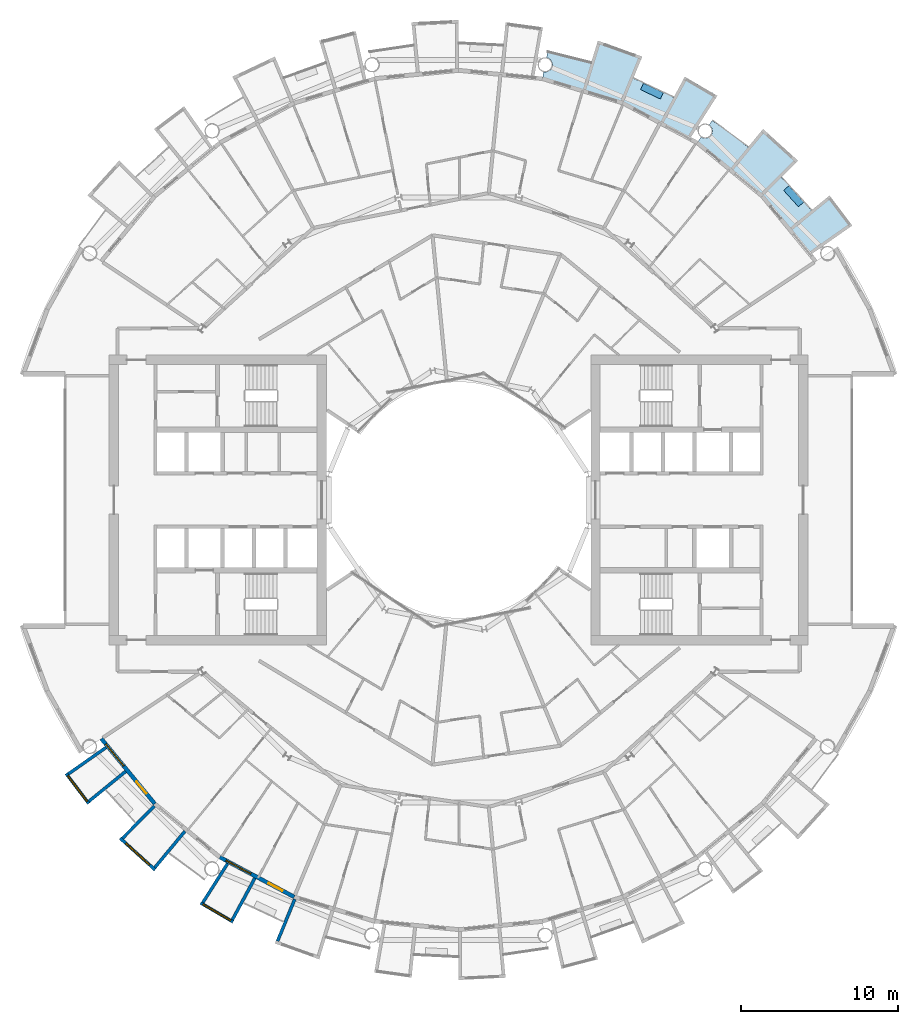
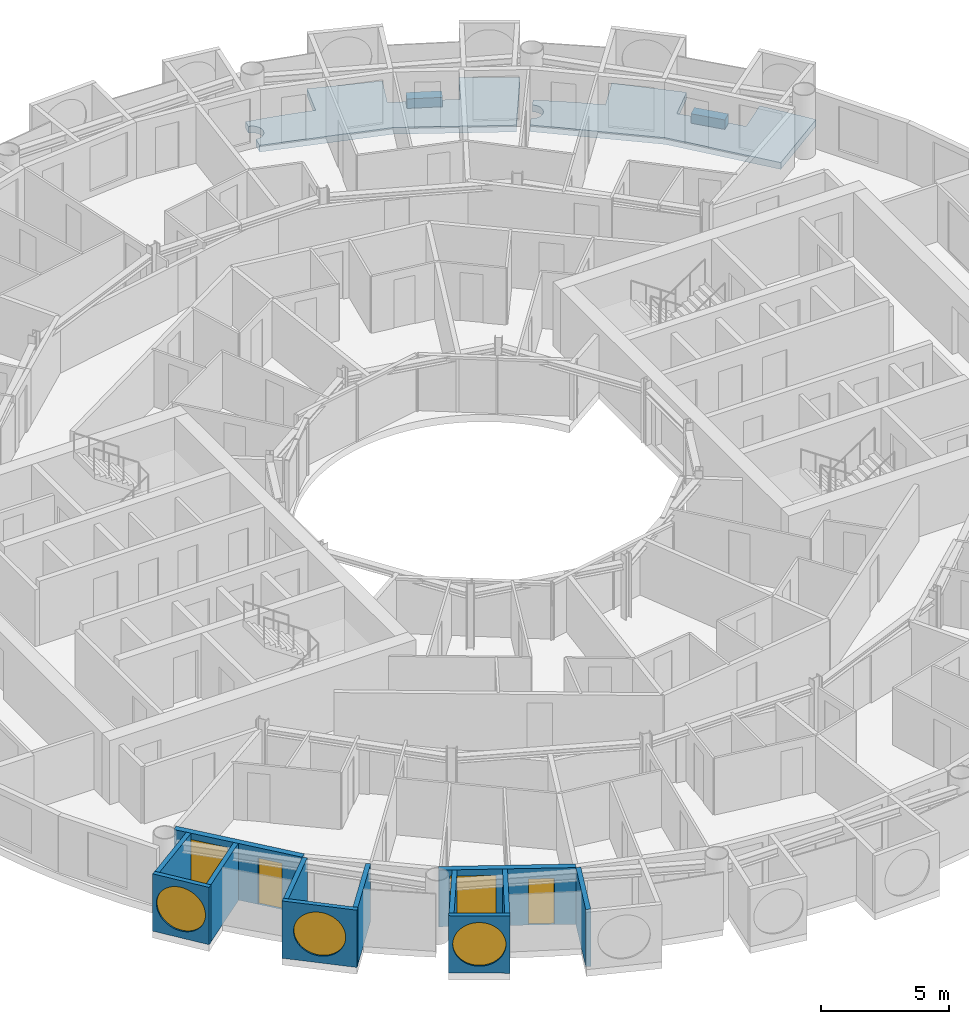
# One storey, part 13 of 28: 12 walls, 5 windows, 4 slabs, 2 doors, 7 openings.
"""IFC4 building model written with IfcOpenShell, lengths in metres."""

from ifc_helpers import new_model, si_unit, direction, frame, frame_2d, origin, place, context, subcontext, project, spatial, polyline, rectangle, circle, outline, extrude, material, layer, layer_set, type_object, element, fill, save


model = new_model("IFC4")

# Units and contexts
model_context = context("Model", 3, precision=1e-05, world=origin(), true_north=direction((0.0, 1.0)))
body_context = subcontext(model_context, "Body", "Model", "MODEL_VIEW")
ifc_project = project(units=[si_unit("LENGTHUNIT", "METRE"), si_unit("AREAUNIT", "SQUARE_METRE"), si_unit("VOLUMEUNIT", "CUBIC_METRE"), si_unit("PLANEANGLEUNIT", "RADIAN"), si_unit("MASSUNIT", "GRAM", prefix="KILO")], contexts=[model_context])

# Site, building, storey
site_placement = place(None, origin())
site = spatial("IfcSite", under=ifc_project, at=site_placement, CompositionType="ELEMENT")
building_placement = place(site_placement, origin())
building = spatial("IfcBuilding", under=site, at=building_placement, Name="Maasbend Ring Residences", CompositionType="ELEMENT")
storey_placement = place(building_placement, frame((0.0, 0.0, 133.0)))
storey = spatial("IfcBuildingStorey", under=building, at=storey_placement, Name="L38", CompositionType="ELEMENT", Elevation=133.0)

# Slabs
ifc_material_1 = material(Name="Planting with climbing greenery")
ifc_layer_1 = layer(ifc_material_1, 0.449951171875)
ifc_layer_set_1 = layer_set([ifc_layer_1], Name="PLANTER-LG")
slab_type_1 = type_object("IfcSlabType", Name="PLANTER-LG", PredefinedType="USERDEFINED", material=ifc_layer_set_1)
slab_1_placement = place(storey_placement, frame((0.0, 0.0, -0.030029296875)))
element("IfcSlab", 1, at=slab_1_placement, inside=storey, type_object=slab_type_1, Name="Planter with climbing greenery 1", ObjectType="PLANTER", PredefinedType="USERDEFINED", context=body_context, shape_type="SweptSolid", body=[
    extrude(outline(polyline([(21.931884765625, 18.93310546875), (20.991943359375, 19.969970703125), (20.657958984375, 19.66796875), (21.597900390625, 18.631103515625), (21.931884765625, 18.93310546875)])), origin(), (0.0, 0.0, 1.0), 0.449951171875),
])
slab_2_placement = place(storey_placement, frame((0.0, 0.0, -0.030029296875)))
element("IfcSlab", 2, at=slab_2_placement, inside=storey, type_object=slab_type_1, Name="Planter with climbing greenery 2", ObjectType="PLANTER", PredefinedType="USERDEFINED", context=body_context, shape_type="SweptSolid", body=[
    extrude(outline(polyline([(13.01708984375, 25.885009765625), (11.7509765625, 26.48291015625), (11.55908203125, 26.076904296875), (12.824951171875, 25.47802734375), (13.01708984375, 25.885009765625)])), origin(), (0.0, 0.0, 1.0), 0.449951171875),
])
ifc_material_2 = material(Name="Concrete C40/50", Category="concrete")
ifc_layer_2 = layer(ifc_material_2, 0.199951171875)
ifc_layer_set_2 = layer_set([ifc_layer_2], Name="Concrete C40/50")
slab_type_2 = type_object("IfcSlabType", Name="SL-LOGGIA", PredefinedType="FLOOR", material=ifc_layer_set_2)
slab_3_placement = place(storey_placement, frame((0.0, 0.0, -0.35009765625)))
element("IfcSlab", 3, at=slab_3_placement, inside=storey, type_object=slab_type_2, Name="Loggia floor 2", PredefinedType="FLOOR", context=body_context, shape_type="SweptSolid", body=[
    extrude(outline(polyline([(5.446044921875, 27.205078125), (5.45703125, 27.202880859375), (5.468017578125, 27.201904296875), (5.47900390625, 27.201904296875), (5.489990234375, 27.200927734375), (5.501953125, 27.200927734375), (5.512939453125, 27.200927734375), (5.52392578125, 27.201904296875), (5.534912109375, 27.201904296875), (5.5458984375, 27.202880859375), (5.556884765625, 27.205078125), (5.569091796875, 27.2060546875), (5.580078125, 27.2080078125), (5.591064453125, 27.2099609375), (5.60205078125, 27.2119140625), (5.613037109375, 27.215087890625), (5.623046875, 27.218017578125), (5.634033203125, 27.220947265625), (5.64501953125, 27.22412109375), (5.655029296875, 27.22802734375), (5.666015625, 27.23193359375), (5.676025390625, 27.236083984375), (5.68701171875, 27.239990234375), (5.697021484375, 27.2451171875), (5.70703125, 27.25), (5.717041015625, 27.2548828125), (5.72705078125, 27.260009765625), (5.736083984375, 27.26611328125), (5.74609375, 27.27197265625), (5.7548828125, 27.278076171875), (5.764892578125, 27.283935546875), (5.77392578125, 27.291015625), (5.782958984375, 27.298095703125), (5.791015625, 27.304931640625), (5.800048828125, 27.31201171875), (5.80810546875, 27.319091796875), (5.81689453125, 27.326904296875), (5.824951171875, 27.3349609375), (5.83203125, 27.343017578125), (5.840087890625, 27.35107421875), (5.847900390625, 27.360107421875), (5.85498046875, 27.367919921875), (5.862060546875, 27.376953125), (5.868896484375, 27.385986328125), (5.875, 27.39501953125), (5.881103515625, 27.404052734375), (5.887939453125, 27.4140625), (5.89306640625, 27.423095703125), (5.89892578125, 27.43310546875), (5.905029296875, 27.443115234375), (5.909912109375, 27.452880859375), (5.9150390625, 27.462890625), (5.9189453125, 27.472900390625), (5.924072265625, 27.48291015625), (5.927978515625, 27.493896484375), (5.931884765625, 27.50390625), (5.93505859375, 27.514892578125), (5.93896484375, 27.52490234375), (5.94189453125, 27.535888671875), (5.945068359375, 27.547119140625), (5.947021484375, 27.55810546875), (5.949951171875, 27.569091796875), (5.951904296875, 27.580078125), (5.9541015625, 27.591064453125), (5.955078125, 27.60205078125), (5.9560546875, 27.613037109375), (5.95703125, 27.6240234375), (5.9580078125, 27.635986328125), (5.9580078125, 27.64697265625), (5.9580078125, 27.657958984375), (5.9580078125, 27.6689453125), (5.9580078125, 27.680908203125), (5.95703125, 27.69189453125), (5.9560546875, 27.702880859375), (5.955078125, 27.714111328125), (5.9541015625, 27.72509765625), (5.951904296875, 27.736083984375), (5.949951171875, 27.7470703125), (5.947021484375, 27.758056640625), (5.945068359375, 27.76904296875), (5.94189453125, 27.780029296875), (5.93896484375, 27.791015625), (5.93505859375, 27.801025390625), (5.931884765625, 27.81201171875), (5.927978515625, 27.822998046875), (5.924072265625, 27.8330078125), (5.9189453125, 27.843017578125), (5.9150390625, 27.85302734375), (5.909912109375, 27.864013671875), (5.905029296875, 27.8740234375), (5.89892578125, 27.883056640625), (5.89306640625, 27.89306640625), (5.887939453125, 27.903076171875), (5.881103515625, 27.912109375), (5.875, 27.9208984375), (5.868896484375, 27.929931640625), (5.862060546875, 27.93896484375), (5.85498046875, 27.947998046875), (5.847900390625, 27.95703125), (5.840087890625, 27.965087890625), (5.83203125, 27.972900390625), (5.824951171875, 27.98095703125), (5.81689453125, 27.989013671875), (5.80810546875, 27.9970703125), (5.800048828125, 28.00390625), (5.791015625, 28.010986328125), (5.782958984375, 28.01806640625), (5.77392578125, 28.02490234375), (5.764892578125, 28.031982421875), (5.7548828125, 28.0380859375), (5.74609375, 28.0439453125), (5.736083984375, 28.050048828125), (5.72705078125, 28.055908203125), (5.717041015625, 28.06103515625), (5.70703125, 28.06591796875), (5.697021484375, 28.071044921875), (5.68701171875, 28.075927734375), (5.676025390625, 28.080078125), (5.666015625, 28.083984375), (5.655029296875, 28.087890625), (5.64501953125, 28.092041015625), (5.634033203125, 28.094970703125), (5.623046875, 28.09912109375), (5.613037109375, 28.10107421875), (5.60205078125, 28.10400390625), (5.591064453125, 28.10595703125), (5.657958984375, 28.443115234375), (5.657958984375, 28.443115234375), (5.657958984375, 28.443115234375), (6.5849609375, 28.241943359375), (6.5849609375, 28.241943359375), (7.506103515625, 28.011962890625), (7.506103515625, 28.011962890625), (8.41796875, 27.7509765625), (8.41796875, 27.7509765625), (8.41796875, 27.7509765625), (8.41796875, 27.7509765625), (8.41796875, 27.7509765625), (8.41796875, 27.7509765625), (8.41796875, 27.7509765625), (8.41796875, 27.7509765625), (8.41796875, 27.7509765625), (8.41796875, 27.7509765625), (8.41796875, 27.751953125), (8.41796875, 27.751953125), (8.41796875, 27.751953125), (8.41796875, 27.751953125), (8.41796875, 27.751953125), (8.41796875, 27.751953125), (8.41796875, 27.751953125), (8.85400390625, 29.18701171875), (8.85400390625, 29.18701171875), (8.85400390625, 29.18701171875), (11.672119140625, 28.177978515625), (11.672119140625, 28.177978515625), (11.672119140625, 28.177978515625), (11.097900390625, 26.79296875), (11.097900390625, 26.79296875), (11.097900390625, 26.79296875), (11.097900390625, 26.79296875), (11.097900390625, 26.79296875), (11.097900390625, 26.79296875), (11.097900390625, 26.79296875), (11.097900390625, 26.79296875), (11.097900390625, 26.79296875), (11.097900390625, 26.79296875), (11.097900390625, 26.7919921875), (11.097900390625, 26.7919921875), (11.097900390625, 26.7919921875), (11.097900390625, 26.7919921875), (11.097900390625, 26.7919921875), (11.097900390625, 26.7919921875), (11.097900390625, 26.7919921875), (11.968994140625, 26.4150390625), (11.968994140625, 26.4150390625), (12.825927734375, 26.009033203125), (12.825927734375, 26.009033203125), (13.669921875, 25.575927734375), (13.669921875, 25.575927734375), (13.669921875, 25.575927734375), (13.669921875, 25.575927734375), (13.669921875, 25.575927734375), (13.669921875, 25.575927734375), (13.669921875, 25.575927734375), (13.669921875, 25.575927734375), (13.669921875, 25.575927734375), (13.669921875, 25.575927734375), (13.6708984375, 25.575927734375), (13.6708984375, 25.575927734375), (13.6708984375, 25.575927734375), (13.6708984375, 25.575927734375), (13.6708984375, 25.575927734375), (13.6708984375, 25.575927734375), (13.6708984375, 25.575927734375), (14.3779296875, 26.89892578125), (14.3779296875, 26.89892578125), (14.3779296875, 26.89892578125), (16.44091796875, 25.68994140625), (16.44091796875, 25.68994140625), (16.44091796875, 25.68994140625), (14.68994140625, 22.9541015625), (14.68994140625, 22.9541015625), (14.68994140625, 22.9541015625), (12.806884765625, 23.9609375), (10.447021484375, 25.221923828125), (10.447021484375, 25.221923828125), (10.447021484375, 25.221923828125), (7.886962890625, 25.9990234375), (5.325927734375, 26.77490234375), (5.325927734375, 26.77490234375), (5.325927734375, 26.77490234375), (5.412109375, 27.2099609375), (5.423095703125, 27.2080078125), (5.43408203125, 27.2060546875), (5.446044921875, 27.205078125)])), origin(), (0.0, 0.0, 1.0), 0.320068359375),
])
slab_4_placement = place(storey_placement, frame((0.0, 0.0, -0.35009765625)))
element("IfcSlab", 4, at=slab_4_placement, inside=storey, type_object=slab_type_2, Name="Loggia floor 5", PredefinedType="FLOOR", context=body_context, shape_type="SweptSolid", body=[
    extrude(outline(polyline([(15.431884765625, 23.054931640625), (15.44189453125, 23.050048828125), (15.451904296875, 23.0439453125), (15.4619140625, 23.0390625), (15.471923828125, 23.033935546875), (15.48193359375, 23.030029296875), (15.491943359375, 23.02490234375), (15.5029296875, 23.02099609375), (15.512939453125, 23.01708984375), (15.52392578125, 23.012939453125), (15.533935546875, 23.010009765625), (15.544921875, 23.007080078125), (15.555908203125, 23.00390625), (15.56689453125, 23.001953125), (15.577880859375, 22.9990234375), (15.589111328125, 22.9970703125), (15.60009765625, 22.9951171875), (15.611083984375, 22.993896484375), (15.6220703125, 22.992919921875), (15.633056640625, 22.991943359375), (15.64501953125, 22.990966796875), (15.656005859375, 22.990966796875), (15.6669921875, 22.989990234375), (15.677978515625, 22.990966796875), (15.68994140625, 22.990966796875), (15.700927734375, 22.991943359375), (15.7119140625, 22.992919921875), (15.722900390625, 22.993896484375), (15.73388671875, 22.9951171875), (15.7451171875, 22.9970703125), (15.756103515625, 22.9990234375), (15.76708984375, 23.001953125), (15.778076171875, 23.00390625), (15.7890625, 23.007080078125), (15.800048828125, 23.010009765625), (15.81005859375, 23.012939453125), (15.821044921875, 23.01708984375), (15.83203125, 23.02099609375), (15.842041015625, 23.02490234375), (15.85205078125, 23.030029296875), (15.862060546875, 23.033935546875), (15.873046875, 23.0390625), (15.883056640625, 23.0439453125), (15.89208984375, 23.050048828125), (15.902099609375, 23.054931640625), (15.912109375, 23.06103515625), (15.9208984375, 23.06689453125), (15.929931640625, 23.073974609375), (15.93896484375, 23.080078125), (15.947998046875, 23.0869140625), (15.95703125, 23.093994140625), (15.966064453125, 23.10107421875), (15.97412109375, 23.10888671875), (15.98193359375, 23.115966796875), (15.989990234375, 23.1240234375), (15.998046875, 23.132080078125), (16.006103515625, 23.139892578125), (16.012939453125, 23.14892578125), (16.02001953125, 23.156982421875), (16.027099609375, 23.166015625), (16.033935546875, 23.175048828125), (16.041015625, 23.18408203125), (16.047119140625, 23.194091796875), (16.052978515625, 23.202880859375), (16.05908203125, 23.2119140625), (16.06494140625, 23.221923828125), (16.070068359375, 23.23193359375), (16.074951171875, 23.241943359375), (16.080078125, 23.251953125), (16.0849609375, 23.261962890625), (16.089111328125, 23.27294921875), (16.093017578125, 23.282958984375), (16.096923828125, 23.29296875), (16.10107421875, 23.303955078125), (16.10400390625, 23.31494140625), (16.10791015625, 23.325927734375), (16.110107421875, 23.3359375), (16.113037109375, 23.346923828125), (16.114990234375, 23.35791015625), (16.116943359375, 23.368896484375), (16.118896484375, 23.3798828125), (16.12109375, 23.39111328125), (16.1220703125, 23.403076171875), (16.123046875, 23.4140625), (16.1240234375, 23.425048828125), (16.1240234375, 23.43603515625), (16.1240234375, 23.447021484375), (16.1240234375, 23.458984375), (16.1240234375, 23.469970703125), (16.123046875, 23.48095703125), (16.1220703125, 23.491943359375), (16.12109375, 23.5029296875), (16.118896484375, 23.513916015625), (16.116943359375, 23.52587890625), (16.114990234375, 23.537109375), (16.113037109375, 23.548095703125), (16.110107421875, 23.55810546875), (16.10791015625, 23.569091796875), (16.10400390625, 23.580078125), (16.10107421875, 23.591064453125), (16.096923828125, 23.60107421875), (16.093017578125, 23.612060546875), (16.089111328125, 23.6220703125), (16.0849609375, 23.633056640625), (16.080078125, 23.64306640625), (16.074951171875, 23.653076171875), (16.070068359375, 23.6630859375), (16.06494140625, 23.673095703125), (16.05908203125, 23.681884765625), (16.052978515625, 23.69189453125), (16.047119140625, 23.700927734375), (16.041015625, 23.7109375), (16.033935546875, 23.719970703125), (16.027099609375, 23.72900390625), (16.02001953125, 23.737060546875), (16.012939453125, 23.74609375), (16.006103515625, 23.75390625), (15.998046875, 23.762939453125), (15.989990234375, 23.77099609375), (15.98193359375, 23.778076171875), (15.97412109375, 23.785888671875), (15.966064453125, 23.79296875), (15.95703125, 23.801025390625), (15.947998046875, 23.80810546875), (15.93896484375, 23.81396484375), (15.929931640625, 23.821044921875), (15.9208984375, 23.826904296875), (15.9208984375, 23.826904296875), (16.112060546875, 24.113037109375), (16.112060546875, 24.113037109375), (16.112060546875, 24.113037109375), (16.89208984375, 23.572998046875), (16.89208984375, 23.572998046875), (17.654052734375, 23.007080078125), (17.654052734375, 23.007080078125), (18.39697265625, 22.41796875), (18.39697265625, 22.41796875), (18.39697265625, 22.41796875), (18.39697265625, 22.41796875), (18.39697265625, 22.41796875), (18.39697265625, 22.41796875), (18.39697265625, 22.41796875), (18.39697265625, 22.41796875), (18.39697265625, 22.41796875), (18.39697265625, 22.41796875), (18.39697265625, 22.41796875), (18.39794921875, 22.41796875), (18.39794921875, 22.41796875), (18.39794921875, 22.41796875), (18.39794921875, 22.41796875), (18.39794921875, 22.41796875), (18.39794921875, 22.41796875), (19.34912109375, 23.576904296875), (19.34912109375, 23.576904296875), (19.34912109375, 23.576904296875), (21.56689453125, 21.56689453125), (21.56689453125, 21.56689453125), (21.56689453125, 21.56689453125), (20.506103515625, 20.506103515625), (20.506103515625, 20.506103515625), (20.506103515625, 20.506103515625), (20.506103515625, 20.506103515625), (20.506103515625, 20.506103515625), (20.506103515625, 20.506103515625), (20.506103515625, 20.506103515625), (20.506103515625, 20.506103515625), (20.506103515625, 20.506103515625), (20.506103515625, 20.506103515625), (20.506103515625, 20.506103515625), (20.506103515625, 20.506103515625), (20.506103515625, 20.506103515625), (20.506103515625, 20.506103515625), (20.506103515625, 20.506103515625), (20.506103515625, 20.506103515625), (20.506103515625, 20.506103515625), (21.166015625, 19.823974609375), (21.166015625, 19.823974609375), (21.802978515625, 19.12109375), (21.802978515625, 19.12109375), (22.4169921875, 18.39794921875), (22.4169921875, 18.39794921875), (22.4169921875, 18.39794921875), (22.4169921875, 18.39794921875), (22.4169921875, 18.39794921875), (22.4169921875, 18.39794921875), (22.4169921875, 18.39794921875), (22.4169921875, 18.39794921875), (22.4169921875, 18.39794921875), (22.4169921875, 18.39794921875), (22.4169921875, 18.39794921875), (22.4169921875, 18.39794921875), (22.41796875, 18.39794921875), (22.41796875, 18.39794921875), (22.41796875, 18.39794921875), (22.41796875, 18.39794921875), (22.41796875, 18.39794921875), (23.576904296875, 19.34912109375), (23.576904296875, 19.34912109375), (23.576904296875, 19.34912109375), (25.02001953125, 17.44189453125), (25.02001953125, 17.44189453125), (25.02001953125, 17.44189453125), (22.35595703125, 15.5849609375), (22.35595703125, 15.5849609375), (22.35595703125, 15.5849609375), (21.001953125, 17.236083984375), (19.303955078125, 19.303955078125), (19.303955078125, 19.303955078125), (19.303955078125, 19.303955078125), (17.236083984375, 21.001953125), (15.1669921875, 22.698974609375), (15.1669921875, 22.698974609375), (15.1669921875, 22.698974609375), (15.4130859375, 23.06689453125), (15.4130859375, 23.06689453125), (15.423095703125, 23.06103515625), (15.431884765625, 23.054931640625)])), origin(), (0.0, 0.0, 1.0), 0.320068359375),
])

# Wall, opening, window
ifc_material_3 = material(Name="Pale anodised aluminium panel", Category="aluminium")
ifc_layer_3 = layer(ifc_material_3, 0.199951171875)
ifc_layer_set_3 = layer_set([ifc_layer_3], Name="EW-BOX")
wall_type_1 = type_object("IfcWallType", Name="EW-BOX", PredefinedType="SOLIDWALL", material=ifc_layer_set_3)
wall_1_placement = place(storey_placement, frame((-24.93994140625, -17.382080078125, -0.030029296875), z_axis=(0.0, 0.0, 1.0), x_axis=(0.603375996329, -0.797456837111, 0.0)))
wall_1 = element("IfcWall", 5, at=wall_1_placement, inside=storey, type_object=wall_type_1, Name="Box front S01", PredefinedType="SOLIDWALL", context=body_context, shape_type="SweptSolid", body=[
    extrude(rectangle(XDim=2.391357421875, YDim=0.199951171875, at=frame_2d((1.19580078125, 0.0))), origin(), (0.0, 0.0, 1.0), 2.72998046875),
])
opening_1_placement = place(wall_1_placement, frame((0.15576171875, 0.0, 0.330078125)))
opening_1 = element("IfcOpeningElement", 6, at=opening_1_placement, cuts=wall_1, Name="Opening W-RD", PredefinedType="OPENING", context=body_context, shape_type="SweptSolid", body=[
    extrude(circle(Radius=1.0400390625, at=frame_2d((1.0400390625, 1.0400390625))), frame((0.0, 0.10986328125, 0.0), z_axis=(0.0, -1.0, 0.0), x_axis=(1.0, 0.0, 0.0)), (0.0, 0.0, 1.0), 0.219970703125),
])
ifc_material_4 = material(Name="Aluminium and clear glass", Category="aluminium")
window_type_1 = type_object("IfcWindowType", Name="W-RD", PartitioningType="SINGLE_PANEL", PredefinedType="WINDOW", material=ifc_material_4)
window_1_placement = place(opening_1_placement, origin())
window_1 = element("IfcWindow", 7, at=window_1_placement, inside=storey, type_object=window_type_1, Name="Round window S01", OverallHeight=2.080078125, OverallWidth=2.080078125, PartitioningType="SINGLE_PANEL", PredefinedType="WINDOW", context=body_context, shape_type="SweptSolid", body=[
    extrude(circle(Radius=1.0400390625, at=frame_2d((1.0400390625, 1.0400390625))), frame((0.0, 0.030029296875, 0.0), z_axis=(0.0, -1.0, 0.0), x_axis=(1.0, 0.0, 0.0)), (0.0, 0.0, 1.0), 0.06005859375),
])
fill(opening_1, window_1)

# Walls
wall_2_placement = place(storey_placement, frame((-22.402099609375, -15.72607421875, -0.030029296875), z_axis=(0.0, 0.0, 1.0), x_axis=(-0.818275399393, -0.574826383135, 0.0)))
element("IfcWall", 8, at=wall_2_placement, inside=storey, type_object=wall_type_1, Name="Box side wall S01 left", PredefinedType="SOLIDWALL", context=body_context, shape_type="SweptSolid", body=[
    extrude(rectangle(XDim=2.92919921875, YDim=0.199951171875, at=frame_2d((1.464599609375, 0.0))), origin(), (0.0, 0.0, 1.0), 2.72998046875),
])
wall_3_placement = place(storey_placement, frame((-21.155029296875, -17.24609375, -0.030029296875), z_axis=(0.0, 0.0, 1.0), x_axis=(-0.775179004516, -0.631741648902, 0.0)))
element("IfcWall", 9, at=wall_3_placement, inside=storey, type_object=wall_type_1, Name="Box side wall S01 right", PredefinedType="SOLIDWALL", context=body_context, shape_type="SweptSolid", body=[
    extrude(rectangle(XDim=3.005859375, YDim=0.199951171875, at=frame_2d((1.5029296875, 0.0))), origin(), (0.0, 0.0, 1.0), 2.72998046875),
])

# Wall, opening, window
wall_4_placement = place(storey_placement, frame((-21.5, -21.492919921875, -0.030029296875), z_axis=(0.0, 0.0, 1.0), x_axis=(0.740998365753, -0.671506829416, 0.0)))
wall_4 = element("IfcWall", 10, at=wall_4_placement, inside=storey, type_object=wall_type_1, Name="Box front S03", PredefinedType="SOLIDWALL", context=body_context, shape_type="SweptSolid", body=[
    extrude(rectangle(XDim=2.9931640625, YDim=0.199951171875, at=frame_2d((1.49658203125, 0.0))), origin(), (0.0, 0.0, 1.0), 2.72998046875),
])
opening_2_placement = place(wall_4_placement, frame((0.45654296875, 0.0, 0.330078125)))
opening_2 = element("IfcOpeningElement", 11, at=opening_2_placement, cuts=wall_4, Name="Opening W-RD", PredefinedType="OPENING", context=body_context, shape_type="SweptSolid", body=[
    extrude(circle(Radius=1.0400390625, at=frame_2d((1.0400390625, 1.0400390625))), frame((0.0, 0.10986328125, 0.0), z_axis=(0.0, -1.0, 0.0), x_axis=(1.0, 0.0, 0.0)), (0.0, 0.0, 1.0), 0.219970703125),
])
window_2_placement = place(opening_2_placement, origin())
window_2 = element("IfcWindow", 12, at=window_2_placement, inside=storey, type_object=window_type_1, Name="Round window S03", OverallHeight=2.080078125, OverallWidth=2.080078125, PartitioningType="SINGLE_PANEL", PredefinedType="WINDOW", context=body_context, shape_type="SweptSolid", body=[
    extrude(circle(Radius=1.0400390625, at=frame_2d((1.0400390625, 1.0400390625))), frame((0.0, 0.030029296875, 0.0), z_axis=(0.0, -1.0, 0.0), x_axis=(1.0, 0.0, 0.0)), (0.0, 0.0, 1.0), 0.06005859375),
])
fill(opening_2, window_2)

# Walls
wall_5_placement = place(storey_placement, frame((-19.322998046875, -19.449951171875, -0.030029296875), z_axis=(0.0, 0.0, 1.0), x_axis=(-0.704476739375, -0.709727076896, 0.0)))
element("IfcWall", 13, at=wall_5_placement, inside=storey, type_object=wall_type_1, Name="Box side wall S03 left", PredefinedType="SOLIDWALL", context=body_context, shape_type="SweptSolid", body=[
    extrude(rectangle(XDim=2.883056640625, YDim=0.199951171875, at=frame_2d((1.44140625, 0.0))), origin(), (0.0, 0.0, 1.0), 2.72998046875),
])
wall_6_placement = place(storey_placement, frame((-17.384033203125, -21.041015625, -0.030029296875), z_axis=(0.0, 0.0, 1.0), x_axis=(-0.63709551667, -0.770784861449, 0.0)))
element("IfcWall", 14, at=wall_6_placement, inside=storey, type_object=wall_type_1, Name="Box side wall S03 right", PredefinedType="SOLIDWALL", context=body_context, shape_type="SweptSolid", body=[
    extrude(rectangle(XDim=3.005859375, YDim=0.199951171875, at=frame_2d((1.5029296875, 0.0))), origin(), (0.0, 0.0, 1.0), 2.72998046875),
])

# Wall, opening, window
wall_7_placement = place(storey_placement, frame((-16.389892578125, -25.60302734375, -0.030029296875), z_axis=(0.0, 0.0, 1.0), x_axis=(0.862762477128, -0.505609442218, 0.0)))
wall_7 = element("IfcWall", 15, at=wall_7_placement, inside=storey, type_object=wall_type_1, Name="Box front S05", PredefinedType="SOLIDWALL", context=body_context, shape_type="SweptSolid", body=[
    extrude(rectangle(XDim=2.39111328125, YDim=0.199951171875, at=frame_2d((1.195556640625, 0.0))), origin(), (0.0, 0.0, 1.0), 2.72998046875),
])
opening_3_placement = place(wall_7_placement, frame((0.15576171875, 0.0, 0.330078125)))
opening_3 = element("IfcOpeningElement", 16, at=opening_3_placement, cuts=wall_7, Name="Opening W-RD", PredefinedType="OPENING", context=body_context, shape_type="SweptSolid", body=[
    extrude(circle(Radius=1.0400390625, at=frame_2d((1.0400390625, 1.0400390625))), frame((0.0, 0.10986328125, 0.0), z_axis=(0.0, -1.0, 0.0), x_axis=(1.0, 0.0, 0.0)), (0.0, 0.0, 1.0), 0.219970703125),
])
window_3_placement = place(opening_3_placement, origin())
window_3 = element("IfcWindow", 17, at=window_3_placement, inside=storey, type_object=window_type_1, Name="Round window S05", OverallHeight=2.080078125, OverallWidth=2.080078125, PartitioningType="SINGLE_PANEL", PredefinedType="WINDOW", context=body_context, shape_type="SweptSolid", body=[
    extrude(circle(Radius=1.0400390625, at=frame_2d((1.0400390625, 1.0400390625))), frame((0.0, 0.030029296875, 0.0), z_axis=(0.0, -1.0, 0.0), x_axis=(1.0, 0.0, 0.0)), (0.0, 0.0, 1.0), 0.06005859375),
])
fill(opening_3, window_3)

# Walls
wall_8_placement = place(storey_placement, frame((-14.677978515625, -23.10205078125, -0.030029296875), z_axis=(0.0, 0.0, 1.0), x_axis=(-0.536001536573, -0.844217005746, 0.0)))
element("IfcWall", 18, at=wall_8_placement, inside=storey, type_object=wall_type_1, Name="Box side wall S05 left", PredefinedType="SOLIDWALL", context=body_context, shape_type="SweptSolid", body=[
    extrude(rectangle(XDim=2.92919921875, YDim=0.199951171875, at=frame_2d((1.464599609375, 0.0))), origin(), (0.0, 0.0, 1.0), 2.72998046875),
])
wall_9_placement = place(storey_placement, frame((-12.945068359375, -24.029052734375, -0.030029296875), z_axis=(0.0, 0.0, 1.0), x_axis=(-0.474424310775, -0.88029629861, 0.0)))
element("IfcWall", 19, at=wall_9_placement, inside=storey, type_object=wall_type_1, Name="Box side wall S05 right", PredefinedType="SOLIDWALL", context=body_context, shape_type="SweptSolid", body=[
    extrude(rectangle(XDim=3.005859375, YDim=0.199951171875, at=frame_2d((1.5029296875, 0.0))), origin(), (0.0, 0.0, 1.0), 2.72998046875),
])
wall_10_placement = place(storey_placement, frame((-10.408935546875, -25.364013671875, -0.030029296875), z_axis=(0.0, 0.0, 1.0), x_axis=(-0.379509886562, -0.925187681501, 0.0)))
element("IfcWall", 20, at=wall_10_placement, inside=storey, type_object=wall_type_1, Name="Box side wall S07 left", PredefinedType="SOLIDWALL", context=body_context, shape_type="SweptSolid", body=[
    extrude(rectangle(XDim=2.882568359375, YDim=0.199951171875, at=frame_2d((1.44140625, 0.0))), origin(), (0.0, 0.0, 1.0), 2.72998046875),
])

# Wall, openings, door, window
ifc_material_5 = material(Name="Aluminium clad insulated panel", Category="aluminium")
ifc_layer_4 = layer(ifc_material_5, 0.25)
ifc_layer_set_4 = layer_set([ifc_layer_4], Name="EW-GL")
wall_type_2 = type_object("IfcWallType", Name="EW-GL", PredefinedType="SOLIDWALL", material=ifc_layer_set_4)
wall_11_placement = place(storey_placement, frame((-22.698974609375, -15.1669921875, 0.0), z_axis=(0.0, 0.0, 1.0), x_axis=(0.634382322723, -0.773019449054, 0.0)))
wall_11 = element("IfcWall", 21, at=wall_11_placement, inside=storey, type_object=wall_type_2, Name="External wall S01", PredefinedType="SOLIDWALL", context=body_context, shape_type="SweptSolid", body=[
    extrude(rectangle(XDim=5.351806640625, YDim=0.25, at=frame_2d((2.67578125, 0.0))), origin(), (0.0, 0.0, 1.0), 2.699951171875),
])
opening_4_placement = place(wall_11_placement, frame((0.441162109375, 0.0, 0.300048828125)))
opening_4 = element("IfcOpeningElement", 22, at=opening_4_placement, cuts=wall_11, Name="Opening W-BX", PredefinedType="OPENING", context=body_context, shape_type="SweptSolid", body=[
    extrude(rectangle(XDim=1.800048828125, YDim=2.10009765625, at=frame_2d((0.89990234375, 1.050048828125))), frame((0.0, 0.135009765625, 0.0), z_axis=(0.0, -1.0, 0.0), x_axis=(1.0, 0.0, 0.0)), (0.0, 0.0, 1.0), 0.27001953125),
])
opening_5_placement = place(wall_11_placement, frame((3.510498046875, 0.0, 0.0)))
opening_5 = element("IfcOpeningElement", 23, at=opening_5_placement, cuts=wall_11, Name="Opening D-LG", PredefinedType="OPENING", context=body_context, shape_type="SweptSolid", body=[
    extrude(rectangle(XDim=1.0, YDim=2.199951171875, at=frame_2d((0.5, 1.10009765625))), frame((0.0, 0.135009765625, 0.0), z_axis=(0.0, -1.0, 0.0), x_axis=(1.0, 0.0, 0.0)), (0.0, 0.0, 1.0), 0.27001953125),
])
ifc_material_6 = material(Name="Aluminium and clear glass", Category="aluminium")
door_type = type_object("IfcDoorType", Name="D-LG", OperationType="SINGLE_SWING_LEFT", PredefinedType="DOOR", material=ifc_material_6)
door_1_placement = place(opening_5_placement, origin())
door_1 = element("IfcDoor", 24, at=door_1_placement, inside=storey, type_object=door_type, Name="Loggia door S02", OperationType="SINGLE_SWING_LEFT", OverallHeight=2.199951171875, OverallWidth=1.0, PredefinedType="DOOR", context=body_context, shape_type="SweptSolid", body=[
    extrude(rectangle(XDim=1.0, YDim=2.199951171875, at=frame_2d((0.5, 1.10009765625))), frame((0.0, 0.02490234375, 0.0), z_axis=(0.0, -1.0, 0.0), x_axis=(1.0, 0.0, 0.0)), (0.0, 0.0, 1.0), 0.050048828125),
])
fill(opening_5, door_1)
ifc_material_7 = material(Name="Aluminium and clear glass", Category="aluminium")
window_type_2 = type_object("IfcWindowType", Name="W-BX", PartitioningType="DOUBLE_PANEL_VERTICAL", PredefinedType="WINDOW", material=ifc_material_7)
window_4_placement = place(opening_4_placement, origin())
window_4 = element("IfcWindow", 25, at=window_4_placement, inside=storey, type_object=window_type_2, Name="Window S01 room to box", OverallHeight=2.10009765625, OverallWidth=1.800048828125, PartitioningType="SINGLE_PANEL", PredefinedType="WINDOW", context=body_context, shape_type="SweptSolid", body=[
    extrude(rectangle(XDim=1.800048828125, YDim=2.10009765625, at=frame_2d((0.89990234375, 1.050048828125))), frame((0.0, 0.030029296875, 0.0), z_axis=(0.0, -1.0, 0.0), x_axis=(1.0, 0.0, 0.0)), (0.0, 0.0, 1.0), 0.06005859375),
])
fill(opening_4, window_4)

wall_12_placement = place(storey_placement, frame((-15.1669921875, -22.698974609375, 0.0), z_axis=(0.0, 0.0, 1.0), x_axis=(0.881915646801, -0.471407246368, 0.0)))
wall_12 = element("IfcWall", 26, at=wall_12_placement, inside=storey, type_object=wall_type_2, Name="External wall S03", PredefinedType="SOLIDWALL", context=body_context, shape_type="SweptSolid", body=[
    extrude(rectangle(XDim=5.35205078125, YDim=0.25, at=frame_2d((2.676025390625, 0.0))), origin(), (0.0, 0.0, 1.0), 2.699951171875),
])
opening_6_placement = place(wall_12_placement, frame((0.441162109375, 0.0, 0.300048828125)))
opening_6 = element("IfcOpeningElement", 27, at=opening_6_placement, cuts=wall_12, Name="Opening W-BX", PredefinedType="OPENING", context=body_context, shape_type="SweptSolid", body=[
    extrude(rectangle(XDim=1.800048828125, YDim=2.10009765625, at=frame_2d((0.89990234375, 1.050048828125))), frame((0.0, 0.135009765625, 0.0), z_axis=(0.0, -1.0, 0.0), x_axis=(1.0, 0.0, 0.0)), (0.0, 0.0, 1.0), 0.27001953125),
])
opening_7_placement = place(wall_12_placement, frame((3.510498046875, 0.0, 0.0)))
opening_7 = element("IfcOpeningElement", 28, at=opening_7_placement, cuts=wall_12, Name="Opening D-LG", PredefinedType="OPENING", context=body_context, shape_type="SweptSolid", body=[
    extrude(rectangle(XDim=1.0, YDim=2.199951171875, at=frame_2d((0.5, 1.10009765625))), frame((0.0, 0.135009765625, 0.0), z_axis=(0.0, -1.0, 0.0), x_axis=(1.0, 0.0, 0.0)), (0.0, 0.0, 1.0), 0.27001953125),
])
door_2_placement = place(opening_7_placement, origin())
door_2 = element("IfcDoor", 29, at=door_2_placement, inside=storey, type_object=door_type, Name="Loggia door S06", OperationType="SINGLE_SWING_LEFT", OverallHeight=2.199951171875, OverallWidth=1.0, PredefinedType="DOOR", context=body_context, shape_type="SweptSolid", body=[
    extrude(rectangle(XDim=1.0, YDim=2.199951171875, at=frame_2d((0.5, 1.10009765625))), frame((0.0, 0.02490234375, 0.0), z_axis=(0.0, -1.0, 0.0), x_axis=(1.0, 0.0, 0.0)), (0.0, 0.0, 1.0), 0.050048828125),
])
fill(opening_7, door_2)
window_5_placement = place(opening_6_placement, origin())
window_5 = element("IfcWindow", 30, at=window_5_placement, inside=storey, type_object=window_type_2, Name="Window S05 room to box", OverallHeight=2.10009765625, OverallWidth=1.800048828125, PartitioningType="SINGLE_PANEL", PredefinedType="WINDOW", context=body_context, shape_type="SweptSolid", body=[
    extrude(rectangle(XDim=1.800048828125, YDim=2.10009765625, at=frame_2d((0.89990234375, 1.050048828125))), frame((0.0, 0.030029296875, 0.0), z_axis=(0.0, -1.0, 0.0), x_axis=(1.0, 0.0, 0.0)), (0.0, 0.0, 1.0), 0.06005859375),
])
fill(opening_6, window_5)

save(model, "model.ifc")
